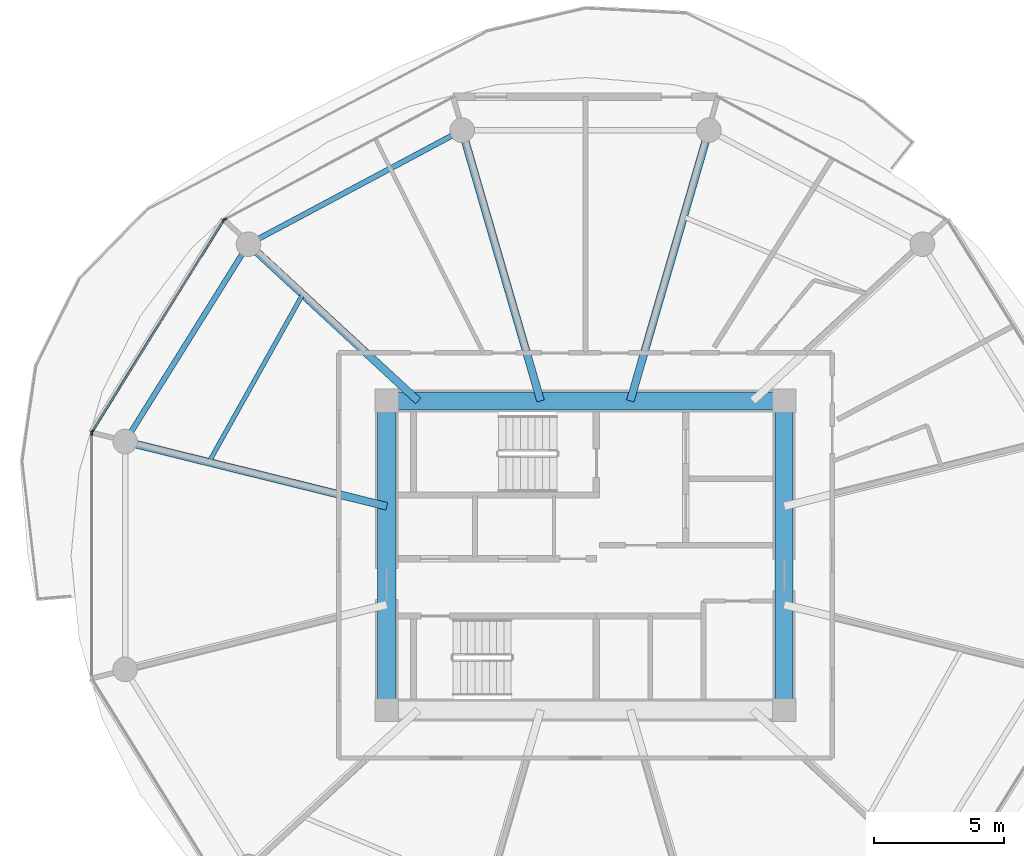
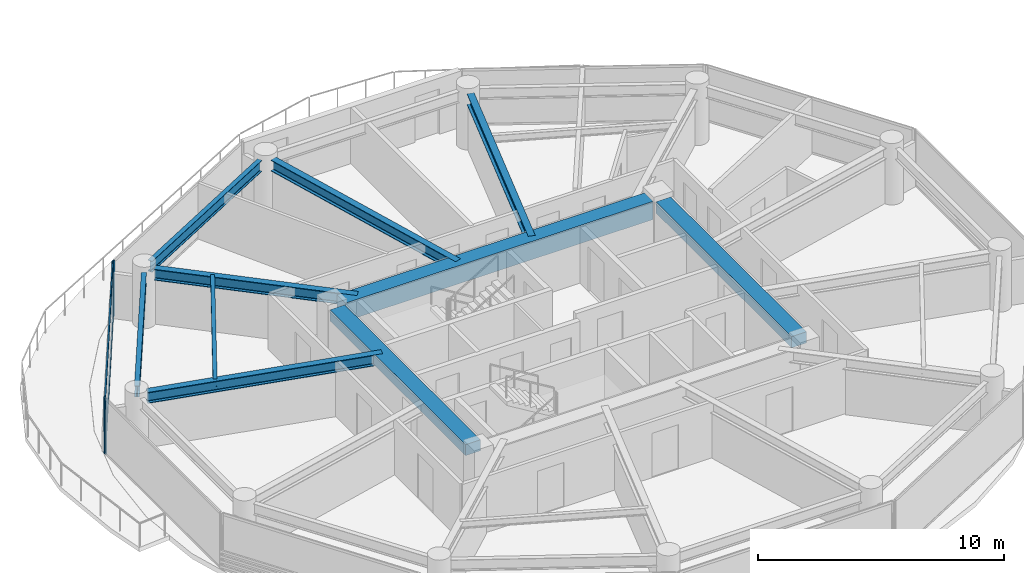
# One storey, part 4 of 26: 10 beams, 6 members, 3 elements without a shape of their own.
"""IFC4 building model written with IfcOpenShell, lengths in metres."""

from ifc_helpers import new_model, si_unit, direction, frame, origin, origin_2d, place, context, subcontext, project, spatial, rectangle, i_section, extrude, source, transform, mapped, material, layer, layer_set, material_profile, profile_set, type_object, type_shapes, element, aggregate, save


model = new_model("IFC4")

# Units and contexts
model_context = context("Model", 3, precision=1e-05, world=origin(), true_north=direction((0.0, 1.0)))
body_context = subcontext(model_context, "Body", "Model", "MODEL_VIEW")
ifc_project = project(units=[si_unit("LENGTHUNIT", "METRE"), si_unit("AREAUNIT", "SQUARE_METRE"), si_unit("VOLUMEUNIT", "CUBIC_METRE"), si_unit("PLANEANGLEUNIT", "RADIAN"), si_unit("MASSUNIT", "GRAM", prefix="KILO")], contexts=[model_context])

# Site, building, storey
site_placement = place(None, origin())
site = spatial("IfcSite", under=ifc_project, at=site_placement, CompositionType="ELEMENT")
building_placement = place(site_placement, origin())
building = spatial("IfcBuilding", under=site, at=building_placement, Name="Norrkilde Senior Care Towers", CompositionType="ELEMENT")
storey_placement = place(building_placement, frame((0.0, 0.0, 24.64990234375)))
storey = spatial("IfcBuildingStorey", under=building, at=storey_placement, Name="L06", CompositionType="ELEMENT", Elevation=24.64990234375)

# Beams
ifc_material_1 = material(Name="Concrete C60/75", Category="concrete")
ifc_material_profile_1 = material_profile(ifc_material_1, rectangle(XDim=0.699951171875, YDim=0.89990234375, at=origin_2d()), Name="RC BM 700x900")
ifc_profile_set_1 = profile_set([ifc_material_profile_1], Name="Concrete C60/75")
beam_type_1 = type_object("IfcBeamType", Name="Core Coupling Girder 700x900", PredefinedType="USERDEFINED", material=ifc_profile_set_1)
shared_shape_1 = source(origin(), body_context, "Body", "SweptSolid", [
    extrude(rectangle(XDim=0.699951171875, YDim=0.89990234375, at=origin_2d()), origin(), (0.0, 0.0, 1.0), 14.43994140625),
])
type_shapes(beam_type_1, [shared_shape_1])
beam_1_placement = place(storey_placement, frame((-35.219970703125, 5.949951171875, 2.340087890625), z_axis=(1.0, 0.0, 0.0), x_axis=(0.0, 1.0, 0.0)))
element("IfcBeam", 1, at=beam_1_placement, inside=storey, type_object=beam_type_1, Name="L06 Core W N Coupling Girder", ObjectType="GIRDER", PredefinedType="USERDEFINED", context=body_context, shape_type="MappedRepresentation", body=[
    mapped(shared_shape_1, transform((0.0, 0.0, 0.0), x_axis=(1.0, 0.0, 0.0), y_axis=(0.0, 1.0, 0.0), z_axis=(0.0, 0.0, 1.0), scale=1.0)),
])
ifc_material_profile_2 = material_profile(ifc_material_1, rectangle(XDim=0.699951171875, YDim=0.550048828125, at=origin_2d()), Name="RC BM 700x550")
ifc_profile_set_2 = profile_set([ifc_material_profile_2], Name="Concrete C60/75")
beam_type_2 = type_object("IfcBeamType", Name="Core Portal Coupling Beam 700x550", PredefinedType="USERDEFINED", material=ifc_profile_set_2)
shared_shape_2 = source(origin(), body_context, "Body", "SweptSolid", [
    extrude(rectangle(XDim=0.699951171875, YDim=0.550048828125, at=origin_2d()), origin(), (0.0, 0.0, 1.0), 11.0400390625),
])
type_shapes(beam_type_2, [shared_shape_2])
for number, where, z_axis, x_axis, name in (
    (2, (-35.64990234375, -5.52001953125, 2.51513671875), (0.0, 1.0, 0.0), (-1.0, 0.0, 0.0), "L06 Core W W Coupling Girder"),
    (3, (-20.35009765625, -5.52001953125, 2.51513671875), (0.0, 1.0, 0.0), (-1.0, 0.0, 0.0), "L06 Core W E Coupling Girder"),
):
    element("IfcBeam", number, at=place(storey_placement, frame(where, z_axis=z_axis, x_axis=x_axis)), inside=storey, type_object=beam_type_2, Name=name, ObjectType="GIRDER", PredefinedType="USERDEFINED", context=body_context, shape_type="MappedRepresentation", body=[
        mapped(shared_shape_2, transform((0.0, 0.0, 0.0), x_axis=(1.0, 0.0, 0.0), y_axis=(0.0, 1.0, 0.0), z_axis=(0.0, 0.0, 1.0), scale=1.0)),
    ])
ifc_material_2 = material(Name="Steel S355", Category="steel")
ifc_material_profile_3 = material_profile(ifc_material_2, i_section(OverallWidth=0.2099609375, OverallDepth=0.550048828125, WebThickness=0.010986328125, FlangeThickness=0.01708984375, FilletRadius=0.02392578125, at=origin_2d()), Name="IPE 550")
ifc_profile_set_3 = profile_set([ifc_material_profile_3], Name="Steel S355")
beam_type_3 = type_object("IfcBeamType", Name="Perimeter Ring Spandrel Z1 IPE550", PredefinedType="SPANDREL", material=ifc_profile_set_3)
shared_shape_3 = source(origin(), body_context, "Body", "SweptSolid", [
    extrude(i_section(OverallWidth=0.2099609375, OverallDepth=0.550048828125, WebThickness=0.010986328125, FlangeThickness=0.01708984375, FilletRadius=0.02392578125, at=origin_2d()), origin(), (0.0, 0.0, 1.0), 8.090576171875),
])
beam_2_placement = place(storey_placement, frame((-41.2060546875, 11.61669921875, 2.51513671875), z_axis=(-0.530004364821, -0.84799491347, 0.0), x_axis=(0.84799491347, -0.530004364821, 0.0)))
element("IfcBeam", 4, at=beam_2_placement, inside=storey, type_object=beam_type_3, Name="L06 Drum W Perimeter Spandrel 05", PredefinedType="SPANDREL", context=body_context, shape_type="MappedRepresentation", body=[
    mapped(shared_shape_3, transform((0.0, 0.0, 0.0), x_axis=(1.0, 0.0, 0.0), y_axis=(0.0, 1.0, 0.0), z_axis=(0.0, 0.0, 1.0), scale=1.0)),
])
ifc_material_profile_4 = material_profile(ifc_material_2, i_section(OverallWidth=0.300048828125, OverallDepth=0.550048828125, WebThickness=0.014892578125, FlangeThickness=0.029052734375, FilletRadius=0.027099609375, at=origin_2d()), Name="HEB 550")
ifc_profile_set_4 = profile_set([ifc_material_profile_4], Name="Steel S355")
beam_type_4 = type_object("IfcBeamType", Name="Radial Floor Beam Z1 HEB550", PredefinedType="BEAM", material=ifc_profile_set_4)
shared_shape_4 = source(origin(), body_context, "Body", "SweptSolid", [
    extrude(i_section(OverallWidth=0.300048828125, OverallDepth=0.550048828125, WebThickness=0.014892578125, FlangeThickness=0.029052734375, FilletRadius=0.027099609375, at=origin_2d()), origin(), (0.0, 0.0, 1.0), 9.94384765625),
])
beam_3_placement = place(storey_placement, frame((-35.64990234375, 1.893310546875, 2.51513671875), z_axis=(-0.970707425182, 0.240264634718, 0.0), x_axis=(-0.240264634718, -0.970707425182, 0.0)))
element("IfcBeam", 5, at=beam_3_placement, inside=storey, type_object=beam_type_4, Name="L06 Drum W Radial Floor Beam 06", PredefinedType="BEAM", context=body_context, shape_type="MappedRepresentation", body=[
    mapped(shared_shape_4, transform((0.0, 0.0, 0.0), x_axis=(1.0, 0.0, 0.0), y_axis=(0.0, 1.0, 0.0), z_axis=(0.0, 0.0, 1.0), scale=1.0)),
])
shared_shape_5 = source(origin(), body_context, "Body", "SweptSolid", [
    extrude(i_section(OverallWidth=0.2099609375, OverallDepth=0.550048828125, WebThickness=0.010986328125, FlangeThickness=0.01708984375, FilletRadius=0.02392578125, at=origin_2d()), origin(), (0.0, 0.0, 1.0), 8.452880859375),
])
type_shapes(beam_type_3, [shared_shape_3, shared_shape_5])
beam_4_placement = place(storey_placement, frame((-33.133056640625, 16.167724609375, 2.51513671875), z_axis=(-0.882368931134, -0.470558252898, 0.0), x_axis=(0.470558252898, -0.882368931134, 0.0)))
element("IfcBeam", 6, at=beam_4_placement, inside=storey, type_object=beam_type_3, Name="L06 Drum W Perimeter Spandrel 04", PredefinedType="SPANDREL", context=body_context, shape_type="MappedRepresentation", body=[
    mapped(shared_shape_5, transform((0.0, 0.0, 0.0), x_axis=(1.0, 0.0, 0.0), y_axis=(0.0, 1.0, 0.0), z_axis=(0.0, 0.0, 1.0), scale=1.0)),
])
shared_shape_6 = source(origin(), body_context, "Body", "SweptSolid", [
    extrude(i_section(OverallWidth=0.300048828125, OverallDepth=0.550048828125, WebThickness=0.014892578125, FlangeThickness=0.029052734375, FilletRadius=0.027099609375, at=origin_2d()), origin(), (0.0, 0.0, 1.0), 8.459716796875),
])
beam_5_placement = place(storey_placement, frame((-34.44140625, 5.949951171875, 2.51513671875), z_axis=(-0.734573269108, 0.678529374686, 0.0), x_axis=(-0.678529374686, -0.734573269108, 0.0)))
element("IfcBeam", 7, at=beam_5_placement, inside=storey, type_object=beam_type_4, Name="L06 Drum W Radial Floor Beam 05", PredefinedType="BEAM", context=body_context, shape_type="MappedRepresentation", body=[
    mapped(shared_shape_6, transform((0.0, 0.0, 0.0), x_axis=(1.0, 0.0, 0.0), y_axis=(0.0, 1.0, 0.0), z_axis=(0.0, 0.0, 1.0), scale=1.0)),
])
shared_shape_7 = source(origin(), body_context, "Body", "SweptSolid", [
    extrude(i_section(OverallWidth=0.300048828125, OverallDepth=0.550048828125, WebThickness=0.014892578125, FlangeThickness=0.029052734375, FilletRadius=0.027099609375, at=origin_2d()), origin(), (0.0, 0.0, 1.0), 10.4169921875),
])
type_shapes(beam_type_4, [shared_shape_4, shared_shape_6, shared_shape_7])
for number, where, z_axis, x_axis, name in (
    (8, (-26.27392578125, 5.949951171875, 2.51513671875), (0.278591250785, 0.960409764104, 0.0), (-0.960409764104, 0.278591250785, 0.0), "L06 Drum W Radial Floor Beam 03"),
    (9, (-29.72607421875, 5.949951171875, 2.51513671875), (-0.278591250785, 0.960409764104, 0.0), (-0.960409764104, -0.278591250785, 0.0), "L06 Drum W Radial Floor Beam 04"),
):
    element("IfcBeam", number, at=place(storey_placement, frame(where, z_axis=z_axis, x_axis=x_axis)), inside=storey, type_object=beam_type_4, Name=name, PredefinedType="BEAM", context=body_context, shape_type="MappedRepresentation", body=[
        mapped(shared_shape_7, transform((0.0, 0.0, 0.0), x_axis=(1.0, 0.0, 0.0), y_axis=(0.0, 1.0, 0.0), z_axis=(0.0, 0.0, 1.0), scale=1.0)),
    ])
ifc_material_profile_5 = material_profile(ifc_material_2, i_section(OverallWidth=0.169921875, OverallDepth=0.360107421875, WebThickness=0.008056640625, FlangeThickness=0.0126953125, FilletRadius=0.01806640625, at=origin_2d()), Name="IPE 360")
ifc_profile_set_5 = profile_set([ifc_material_profile_5], Name="Steel S355")
beam_type_5 = type_object("IfcBeamType", Name="Secondary Floor Joist IPE360", PredefinedType="JOIST", material=ifc_profile_set_5)
shared_shape_8 = source(origin(), body_context, "Body", "SweptSolid", [
    extrude(i_section(OverallWidth=0.169921875, OverallDepth=0.360107421875, WebThickness=0.008056640625, FlangeThickness=0.0126953125, FilletRadius=0.01806640625, at=origin_2d()), origin(), (0.0, 0.0, 1.0), 7.40771484375),
])
type_shapes(beam_type_5, [shared_shape_8])
beam_6_placement = place(storey_placement, frame((-38.884521484375, 10.05419921875, 2.610107421875), z_axis=(-0.488167754092, -0.872749817453, 0.0), x_axis=(0.872749817453, -0.488167754092, 0.0)))
element("IfcBeam", 10, at=beam_6_placement, inside=storey, type_object=beam_type_5, Name="L06 Drum W Secondary Floor Joist 2", PredefinedType="JOIST", context=body_context, shape_type="MappedRepresentation", body=[
    mapped(shared_shape_8, transform((0.0, 0.0, 0.0), x_axis=(1.0, 0.0, 0.0), y_axis=(0.0, 1.0, 0.0), z_axis=(0.0, 0.0, 1.0), scale=1.0)),
])

# Curtain wall, member
ifc_material_3 = material(Name="Triple Low-E Insulated Glazing", Category="glass")
ifc_layer = layer(ifc_material_3, 0.199951171875)
ifc_layer_set = layer_set([ifc_layer], Name="Triple Low-E Insulated Glazing")
curtain_wall_type = type_object("IfcCurtainWallType", Name="CW2 Zone 1 Memory Care Curtain Wall", PredefinedType="NOTDEFINED", material=ifc_layer_set)
curtain_wall_1_placement = place(storey_placement, origin())
curtain_wall_1 = element("IfcCurtainWall", 11, at=curtain_wall_1_placement, inside=storey, type_object=curtain_wall_type, Name="L06 Drum W Curtain Wall 03", PredefinedType="NOTDEFINED")
ifc_material_4 = material(Name="Anodised Aluminium", Category="aluminium")
ifc_material_profile_6 = material_profile(ifc_material_4, rectangle(XDim=0.06494140625, YDim=0.159912109375, at=origin_2d()), Name="ALU MULL 65x160")
ifc_profile_set_6 = profile_set([ifc_material_profile_6], Name="Anodised Aluminium")
member_type_1 = type_object("IfcMemberType", Name="Curtain Wall Mullion Z1-Z2 65x160", PredefinedType="MULLION", material=ifc_profile_set_6)
shared_shape_9 = source(origin(), body_context, "Body", "SweptSolid", [
    extrude(rectangle(XDim=0.06494140625, YDim=0.159912109375, at=origin_2d()), origin(), (0.0, 0.0, 1.0), 2.7900390625),
])
type_shapes(member_type_1, [shared_shape_9])
member_1_placement = place(storey_placement, frame((-41.88720703125, 12.941162109375, 0.0), z_axis=(0.0, 0.0, 1.0), x_axis=(-0.472607802456, 0.881272866403, 0.0)))
member_1 = element("IfcMember", 12, at=member_1_placement, type_object=member_type_1, Name="CW-2 mullion 1", PredefinedType="MULLION", context=body_context, shape_type="MappedRepresentation", body=[
    mapped(shared_shape_9, transform((0.0, 0.0, 0.0), x_axis=(1.0, 0.0, 0.0), y_axis=(0.0, 1.0, 0.0), z_axis=(0.0, 0.0, 1.0), scale=1.0)),
])
aggregate(curtain_wall_1, [member_1])

# Curtain wall, members
curtain_wall_2_placement = place(storey_placement, origin())
curtain_wall_2 = element("IfcCurtainWall", 13, at=curtain_wall_2_placement, inside=storey, type_object=curtain_wall_type, Name="L06 Drum W Curtain Wall 04", PredefinedType="NOTDEFINED")
member_2_placement = place(storey_placement, frame((-46.9921875, 4.7587890625, 0.0), z_axis=(0.0, 0.0, 1.0), x_axis=(-0.849305943117, 0.527900951871, 0.0)))
member_2 = element("IfcMember", 14, at=member_2_placement, type_object=member_type_1, Name="CW-2 mullion 1", PredefinedType="MULLION", context=body_context, shape_type="MappedRepresentation", body=[
    mapped(shared_shape_9, transform((0.0, 0.0, 0.0), x_axis=(1.0, 0.0, 0.0), y_axis=(0.0, 1.0, 0.0), z_axis=(0.0, 0.0, 1.0), scale=1.0)),
])
member_3_placement = place(storey_placement, frame((-41.93310546875, 12.898193359375, 0.0), z_axis=(0.0, 0.0, 1.0), x_axis=(-0.849305943117, 0.527900951871, 0.0)))
member_3 = element("IfcMember", 15, at=member_3_placement, type_object=member_type_1, Name="CW-2 mullion 2", PredefinedType="MULLION", context=body_context, shape_type="MappedRepresentation", body=[
    mapped(shared_shape_9, transform((0.0, 0.0, 0.0), x_axis=(1.0, 0.0, 0.0), y_axis=(0.0, 1.0, 0.0), z_axis=(0.0, 0.0, 1.0), scale=1.0)),
])

# Curtain wall, member
curtain_wall_3_placement = place(storey_placement, origin())
curtain_wall_3 = element("IfcCurtainWall", 16, at=curtain_wall_3_placement, inside=storey, type_object=curtain_wall_type, Name="L06 Drum W Curtain Wall 05", PredefinedType="NOTDEFINED")
member_4_placement = place(storey_placement, frame((-47.009521484375, 4.69873046875, 0.0), z_axis=(0.0, 0.0, 1.0), x_axis=(-1.0, 0.0, 0.0)))
member_4 = element("IfcMember", 17, at=member_4_placement, type_object=member_type_1, Name="CW-2 mullion 2", PredefinedType="MULLION", context=body_context, shape_type="MappedRepresentation", body=[
    mapped(shared_shape_9, transform((0.0, 0.0, 0.0), x_axis=(1.0, 0.0, 0.0), y_axis=(0.0, 1.0, 0.0), z_axis=(0.0, 0.0, 1.0), scale=1.0)),
])
aggregate(curtain_wall_3, [member_4])

# Member
ifc_material_profile_7 = material_profile(ifc_material_4, rectangle(XDim=0.06005859375, YDim=0.1201171875, at=origin_2d()), Name="ALU TRAN 60x120")
ifc_profile_set_7 = profile_set([ifc_material_profile_7], Name="Anodised Aluminium")
member_type_2 = type_object("IfcMemberType", Name="Curtain Wall Transom Typical 60x120", PredefinedType="USERDEFINED", material=ifc_profile_set_7)
shared_shape_10 = source(origin(), body_context, "Body", "SweptSolid", [
    extrude(rectangle(XDim=0.06005859375, YDim=0.1201171875, at=origin_2d()), origin(), (0.0, 0.0, 1.0), 9.5185546875),
])
type_shapes(member_type_2, [shared_shape_10])
member_5_placement = place(storey_placement, frame((-46.97509765625, 4.786376953125, 0.030029296875), z_axis=(0.527901620669, 0.849305527413, 0.0), x_axis=(-0.849305527413, 0.527901620669, 0.0)))
member_5 = element("IfcMember", 18, at=member_5_placement, type_object=member_type_2, Name="CW-2 transom 1.1", ObjectType="TRANSOM", PredefinedType="USERDEFINED", context=body_context, shape_type="MappedRepresentation", body=[
    mapped(shared_shape_10, transform((0.0, 0.0, 0.0), x_axis=(1.0, 0.0, 0.0), y_axis=(0.0, 1.0, 0.0), z_axis=(0.0, 0.0, 1.0), scale=1.0)),
])

member_6_placement = place(storey_placement, frame((-46.97509765625, 4.786376953125, 2.760009765625), z_axis=(0.527901620669, 0.849305527413, 0.0), x_axis=(-0.849305527413, 0.527901620669, 0.0)))
member_6 = element("IfcMember", 19, at=member_6_placement, type_object=member_type_2, Name="CW-2 transom 1.2", ObjectType="TRANSOM", PredefinedType="USERDEFINED", context=body_context, shape_type="MappedRepresentation", body=[
    mapped(shared_shape_10, transform((0.0, 0.0, 0.0), x_axis=(1.0, 0.0, 0.0), y_axis=(0.0, 1.0, 0.0), z_axis=(0.0, 0.0, 1.0), scale=1.0)),
])

aggregate(curtain_wall_2, [member_2, member_3, member_5, member_6])

save(model, "model.ifc")
